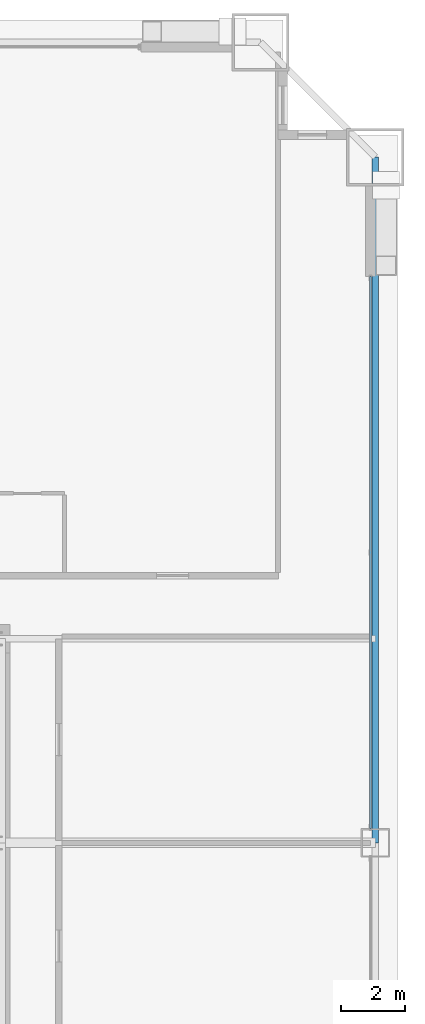
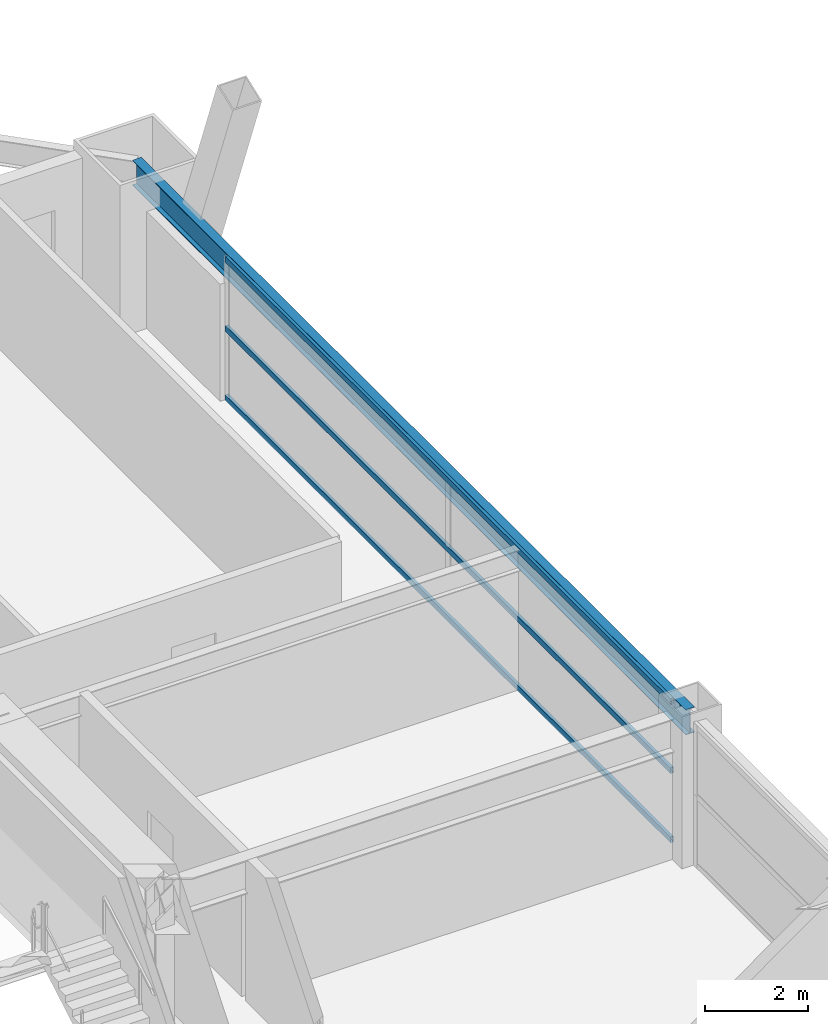
# One storey, part 33 of 43: 3 members, 1 beam, 1 element without a shape of its own.
"""IFC4 building model written with IfcOpenShell, lengths in metres."""

import ifcopenshell
import ifcopenshell.guid

model = None  # the IFC model being written
_history = None  # IfcOwnerHistory: only IFC2X3 demands one
_inside = {}  # id of a spatial element -> (the spatial element, [elements in it])
_under = {}  # id of a project, library or spatial element -> (it, [spatial elements below it])
_declared = {}  # id of a project -> (the project, [libraries it declares])
_typed = {}  # id of a type object -> (the type object, [elements of that type])
_made_of = {}  # id of a material, layer set ... -> (it, [elements and type objects made of it])


def new_model(schema):
    """Start an empty IFC model of exactly this schema.

    Asked for "IFC4X3", IfcOpenShell would pick the latest addendum, in which some entities
    have other attributes; the version numbers below select the first issue.
    IFC2X3 requires an IfcOwnerHistory on every rooted entity: one is made here for all.
    """
    global model, _history
    if schema == "IFC4X3":
        model = ifcopenshell.file(schema_version=(4, 3, 0, 0))
    else:
        model = ifcopenshell.file(schema=schema)
    _inside.clear()
    _under.clear()
    _declared.clear()
    _typed.clear()
    _made_of.clear()
    _history = None
    if model.schema == "IFC2X3":
        org = make("IfcOrganization", Name="unknown")
        user = make(
            "IfcPersonAndOrganization",
            ThePerson=make("IfcPerson", FamilyName="unknown"),
            TheOrganization=org,
        )
        app = make(
            "IfcApplication",
            ApplicationDeveloper=org,
            Version="unknown",
            ApplicationFullName="unknown",
            ApplicationIdentifier="unknown",
        )
        _history = make(
            "IfcOwnerHistory",
            OwningUser=user,
            OwningApplication=app,
            ChangeAction="ADDED",
            CreationDate=0,
        )
    return model


def make(cls, **values):
    """One entity of the class cls with the attributes given. An attribute that is None is left unset."""
    return model.create_entity(
        cls, **{name: value for name, value in values.items() if value is not None}
    )


def rooted(cls, **values):
    """An entity with a GlobalId (a new one), such as an element, a storey or a relation."""
    return make(cls, GlobalId=ifcopenshell.guid.new(), OwnerHistory=_history, **values)


def si_unit(unit_type, name, prefix=None):
    """IfcSIUnit, for example si_unit("LENGTHUNIT", "METRE", prefix="MILLI")."""
    return make("IfcSIUnit", UnitType=unit_type, Prefix=prefix, Name=name)


def assignment(units):
    """IfcUnitAssignment: the units of a project."""
    return None if units is None else make("IfcUnitAssignment", Units=units)


def point(xyz):
    """IfcCartesianPoint."""
    return None if xyz is None else make("IfcCartesianPoint", Coordinates=xyz)


def direction(xyz):
    """IfcDirection."""
    return None if xyz is None else make("IfcDirection", DirectionRatios=xyz)


def frame(location, z_axis=None, x_axis=None):
    """IfcAxis2Placement3D, a coordinate frame: its origin and axes. An axis left out is left unset."""
    return make(
        "IfcAxis2Placement3D",
        Location=point(location),
        Axis=direction(z_axis),
        RefDirection=direction(x_axis),
    )


def frame_2d(location, x_axis=None):
    """IfcAxis2Placement2D, a coordinate frame in the plane: its origin and x axis."""
    return make(
        "IfcAxis2Placement2D", Location=point(location), RefDirection=direction(x_axis)
    )


def origin():
    """The frame at (0, 0, 0) with its axes left unset."""
    return frame((0.0, 0.0, 0.0))


def origin_2d():
    """The frame at (0, 0) in the plane with its x axis left unset."""
    return frame_2d((0.0, 0.0))


def place(relative_to, where):
    """IfcLocalPlacement: puts the frame where relative to a parent placement (None: the world)."""
    return make(
        "IfcLocalPlacement", PlacementRelTo=relative_to, RelativePlacement=where
    )


def context(
    kind, dimensions, precision=None, world=None, true_north=None, identifier=None
):
    """IfcGeometricRepresentationContext, for example the 3D "Model" context."""
    return make(
        "IfcGeometricRepresentationContext",
        ContextIdentifier=identifier,
        ContextType=kind,
        CoordinateSpaceDimension=dimensions,
        Precision=precision,
        WorldCoordinateSystem=world,
        TrueNorth=true_north,
    )


def subcontext(parent, identifier, kind, view, scale=None):
    """IfcGeometricRepresentationSubContext, for example "Body" below "Model"."""
    return make(
        "IfcGeometricRepresentationSubContext",
        ContextIdentifier=identifier,
        ContextType=kind,
        ParentContext=parent,
        TargetScale=scale,
        TargetView=view,
    )


def project(units=None, contexts=None):
    """IfcProject with its units and contexts."""
    return rooted(
        "IfcProject",
        Name="project",
        RepresentationContexts=contexts,
        UnitsInContext=assignment(units),
    )


def spatial(cls, under=None, at=None, **own):
    """A site, building, storey or space (cls), placed at a placement, below another one or the project."""
    s = rooted(cls, ObjectPlacement=at, **own)
    if under is not None:
        _under.setdefault(under.id(), (under, []))[1].append(s)
    return s


def profile(cls, at=None, kind="AREA", **sizes):
    """A parametric profile (cls). Its sizes go by their IFC names, for example OverallWidth=200.0."""
    return make(cls, ProfileType=kind, Position=at, **sizes)


def hollow_rectangle(**sizes):
    """IfcRectangleHollowProfileDef."""
    return profile("IfcRectangleHollowProfileDef", **sizes)


def i_section(**sizes):
    """IfcIShapeProfileDef."""
    return profile("IfcIShapeProfileDef", **sizes)


def extrude(swept, where, along, depth):
    """IfcExtrudedAreaSolid: the profile swept, set in the frame where, extruded along a direction by depth."""
    return make(
        "IfcExtrudedAreaSolid",
        SweptArea=swept,
        Position=where,
        ExtrudedDirection=direction(along),
        Depth=depth,
    )


def shape(context_of_items, identifier, shape_type, items):
    """IfcShapeRepresentation: the items that make up one representation, for example the "Body"."""
    return make(
        "IfcShapeRepresentation",
        ContextOfItems=context_of_items,
        RepresentationIdentifier=identifier,
        RepresentationType=shape_type,
        Items=items,
    )


def source(mapping_origin, context_of_items, identifier, shape_type, items):
    """IfcRepresentationMap: a shape defined once, which mapped items show again and again."""
    return make(
        "IfcRepresentationMap",
        MappingOrigin=mapping_origin,
        MappedRepresentation=shape(context_of_items, identifier, shape_type, items),
    )


def transform(
    local_origin,
    x_axis=None,
    y_axis=None,
    z_axis=None,
    scale=None,
    scale2=None,
    scale3=None,
    uniform=True,
):
    """IfcCartesianTransformationOperator3D, or its non-uniform kind. x_axis, y_axis, z_axis: its Axis1, 2, 3."""
    if uniform:
        return make(
            "IfcCartesianTransformationOperator3D",
            Axis1=direction(x_axis),
            Axis2=direction(y_axis),
            LocalOrigin=point(local_origin),
            Scale=scale,
            Axis3=direction(z_axis),
        )
    return make(
        "IfcCartesianTransformationOperator3DnonUniform",
        Axis1=direction(x_axis),
        Axis2=direction(y_axis),
        LocalOrigin=point(local_origin),
        Scale=scale,
        Axis3=direction(z_axis),
        Scale2=scale2,
        Scale3=scale3,
    )


def mapped(mapping_source, mapping_target):
    """IfcMappedItem: shows the shape of a source again, moved by a transform."""
    return make(
        "IfcMappedItem", MappingSource=mapping_source, MappingTarget=mapping_target
    )


def material(Name=None, Category=None):
    """IfcMaterial."""
    return make("IfcMaterial", Name=Name, Category=Category)


def layer(
    of_material, thickness, ventilated=None, Name=None, Category=None, Priority=None
):
    """IfcMaterialLayer: one layer of a wall or slab, of a material (None: an air gap)."""
    return make(
        "IfcMaterialLayer",
        Material=of_material,
        LayerThickness=thickness,
        IsVentilated=ventilated,
        Name=Name,
        Category=Category,
        Priority=Priority,
    )


def layer_set(layers, Name=None):
    """IfcMaterialLayerSet."""
    return make("IfcMaterialLayerSet", MaterialLayers=layers, LayerSetName=Name)


def material_profile(
    of_material, cross_section, Name=None, Category=None, Priority=None
):
    """IfcMaterialProfile: a cross section and its material."""
    return make(
        "IfcMaterialProfile",
        Name=Name,
        Material=of_material,
        Profile=cross_section,
        Priority=Priority,
        Category=Category,
    )


def profile_set(profiles, Name=None, composite=None):
    """IfcMaterialProfileSet."""
    return make(
        "IfcMaterialProfileSet",
        Name=Name,
        MaterialProfiles=profiles,
        CompositeProfile=composite,
    )


def made_of(thing, what):
    """Note that an element or type object is made of a material, layer set ...; save() writes the relation."""
    if what is not None:
        _made_of.setdefault(what.id(), (what, []))[1].append(thing)
    return thing


def type_object(cls, material=None, **own):
    """A type object (cls), such as IfcWallType, which elements share."""
    return made_of(rooted(cls, **own), material)


def element(
    cls,
    number,
    at=None,
    inside=None,
    cuts=None,
    type_object=None,
    material=None,
    context=None,
    identifier="Body",
    shape_type=None,
    held_by="IfcProductDefinitionShape",
    body=None,
    shapes=None,
    **own,
):
    """One element of the class cls, such as IfcWall. Its Tag is "e" and its number.

    at: its placement. inside: the storey or other place that contains it. cuts: it is an
    opening in that element (IfcRelVoidsElement). A single representation is given by context,
    identifier, shape_type and body (its items); several are given by shapes. held_by: the class
    of the entity that holds the representations. save() writes the other relations.
    """
    e = rooted(cls, Tag="e%d" % number, ObjectPlacement=at, **own)
    if body is not None:
        shapes = [shape(context, identifier, shape_type, body)]
    if shapes is not None:
        e.Representation = make(held_by, Representations=shapes)
    if inside is not None:
        _inside.setdefault(inside.id(), (inside, []))[1].append(e)
    if cuts is not None:
        rooted(
            "IfcRelVoidsElement", RelatingBuildingElement=cuts, RelatedOpeningElement=e
        )
    if type_object is not None:
        _typed.setdefault(type_object.id(), (type_object, []))[1].append(e)
    return made_of(e, material)


def aggregate(whole, parts):
    """IfcRelAggregates: a whole, such as a stair, and the parts it consists of."""
    return rooted("IfcRelAggregates", RelatingObject=whole, RelatedObjects=parts)


def save(model, path):
    """Write the relations noted so far, then the file.

    IfcRelAggregates (storeys below a building ...), IfcRelContainedInSpatialStructure (elements
    in a storey), IfcRelDefinesByType, IfcRelAssociatesMaterial and IfcRelDeclares: one each for
    every whole, place, type object, material and project.
    """
    for whole, parts in _under.values():
        aggregate(whole, parts)
    for where, things in _inside.values():
        rooted(
            "IfcRelContainedInSpatialStructure",
            RelatedElements=things,
            RelatingStructure=where,
        )
    for kind, things in _typed.values():
        rooted("IfcRelDefinesByType", RelatedObjects=things, RelatingType=kind)
    for what, things in _made_of.values():
        rooted("IfcRelAssociatesMaterial", RelatedObjects=things, RelatingMaterial=what)
    for by, libraries in _declared.values():
        rooted("IfcRelDeclares", RelatingContext=by, RelatedDefinitions=libraries)
    model.write(path)


model = new_model("IFC4")

# Units and contexts
model_context = context("Model", 3, precision=1e-05, world=origin(), true_north=direction((0.0, 1.0)))
body_context = subcontext(model_context, "Body", "Model", "MODEL_VIEW")
ifc_project = project(units=[si_unit("LENGTHUNIT", "METRE"), si_unit("AREAUNIT", "SQUARE_METRE"), si_unit("VOLUMEUNIT", "CUBIC_METRE"), si_unit("PLANEANGLEUNIT", "RADIAN"), si_unit("MASSUNIT", "GRAM", prefix="KILO"), si_unit("THERMODYNAMICTEMPERATUREUNIT", "KELVIN"), si_unit("POWERUNIT", "WATT")], contexts=[model_context])

# Site, building, storey
site_placement = place(None, origin())
site = spatial("IfcSite", under=ifc_project, at=site_placement, CompositionType="ELEMENT")
building_placement = place(site_placement, origin())
building = spatial("IfcBuilding", under=site, at=building_placement, Name="Yuzanri Waterfront Tower", CompositionType="ELEMENT")
storey_placement = place(building_placement, frame((0.0, 0.0, 67.60009765625)))
storey = spatial("IfcBuildingStorey", under=building, at=storey_placement, Name="L17", CompositionType="ELEMENT", Elevation=67.60009765625)

# Beam
ifc_material_1 = material(Name="Steel Q355B", Category="steel")
ifc_material_profile_1 = material_profile(ifc_material_1, i_section(OverallWidth=0.199951171875, OverallDepth=0.60009765625, WebThickness=0.010986328125, FlangeThickness=0.01708984375, at=origin_2d()), Name="HN 600x200x11x17")
ifc_profile_set_1 = profile_set([ifc_material_profile_1], Name="Steel Q355B")
beam_type = type_object("IfcBeamType", Name="Perimeter Spandrel Q355B HN 600x200", PredefinedType="SPANDREL", material=ifc_profile_set_1)
shared_shape_1 = source(origin(), body_context, "Body", "SweptSolid", [
    extrude(i_section(OverallWidth=0.199951171875, OverallDepth=0.60009765625, WebThickness=0.010986328125, FlangeThickness=0.01708984375, at=origin_2d()), origin(), (0.0, 0.0, 1.0), 21.5),
])
beam_placement = place(storey_placement, frame((62.10009765625, 25.800048828125, 3.079833984375), z_axis=(0.0, 1.0, 0.0), x_axis=(-1.0, 0.0, 0.0)))
element("IfcBeam", 1, at=beam_placement, inside=storey, type_object=beam_type, Name="L17 Perimeter Spandrel E2-E3", PredefinedType="SPANDREL", context=body_context, shape_type="MappedRepresentation", body=[
    mapped(shared_shape_1, transform((0.0, 0.0, 0.0), scale=1.0)),
])

# Curtain wall, members
ifc_material_2 = material(Name="Anodized Architectural Bronze", Category="metal")
ifc_layer = layer(ifc_material_2, 0.159912109375)
ifc_layer_set = layer_set([ifc_layer], Name="Anodized Architectural Bronze")
curtain_wall_type = type_object("IfcCurtainWallType", Name="Anodized Bronze Hotel Lower-Tier Recessed Unitized Curtain Wall 8100", PredefinedType="NOTDEFINED", material=ifc_layer_set)
curtain_wall_placement = place(storey_placement, origin())
curtain_wall = element("IfcCurtainWall", 2, at=curtain_wall_placement, inside=storey, type_object=curtain_wall_type, Name="L17 Curtain Wall CW-L17-ER", PredefinedType="NOTDEFINED")
ifc_material_3 = material(Name="Anodized Architectural Bronze", Category="metal")
ifc_material_profile_2 = material_profile(ifc_material_3, hollow_rectangle(XDim=0.070068359375, YDim=0.135009765625, WallThickness=0.00341796875, at=origin_2d()), Name="CWT 70x135")
ifc_profile_set_2 = profile_set([ifc_material_profile_2], Name="Anodized Architectural Bronze")
member_type = type_object("IfcMemberType", Name="Anodized Bronze Standard Curtain-Wall Transom 70x135", PredefinedType="USERDEFINED", material=ifc_profile_set_2)
shared_shape_2 = source(origin(), body_context, "Body", "SweptSolid", [
    extrude(hollow_rectangle(XDim=0.070068359375, YDim=0.135009765625, WallThickness=0.00341796875, at=origin_2d()), origin(), (0.0, 0.0, 1.0), 17.300048828125),
])
member_1_placement = place(storey_placement, frame((61.949951171875, 26.25, 0.0498046875), z_axis=(0.0, 1.0, 0.0), x_axis=(-1.0, 0.0, 0.0)))
member_1 = element("IfcMember", 3, at=member_1_placement, type_object=member_type, Name="CW-L17-ER Transom 1", ObjectType="TRANSOM", PredefinedType="USERDEFINED", context=body_context, shape_type="MappedRepresentation", body=[
    mapped(shared_shape_2, transform((0.0, 0.0, 0.0), scale=1.0)),
])
member_2_placement = place(storey_placement, frame((61.949951171875, 26.25, 1.68994140625), z_axis=(0.0, 1.0, 0.0), x_axis=(-1.0, 0.0, 0.0)))
member_2 = element("IfcMember", 4, at=member_2_placement, type_object=member_type, Name="CW-L17-ER Transom 2", ObjectType="TRANSOM", PredefinedType="USERDEFINED", context=body_context, shape_type="MappedRepresentation", body=[
    mapped(shared_shape_2, transform((0.0, 0.0, 0.0), scale=1.0)),
])
member_3_placement = place(storey_placement, frame((61.949951171875, 26.25, 3.329833984375), z_axis=(0.0, 1.0, 0.0), x_axis=(-1.0, 0.0, 0.0)))
member_3 = element("IfcMember", 5, at=member_3_placement, type_object=member_type, Name="CW-L17-ER Transom 3", ObjectType="TRANSOM", PredefinedType="USERDEFINED", context=body_context, shape_type="MappedRepresentation", body=[
    mapped(shared_shape_2, transform((0.0, 0.0, 0.0), scale=1.0)),
])
aggregate(curtain_wall, [member_1, member_2, member_3])

save(model, "model.ifc")
